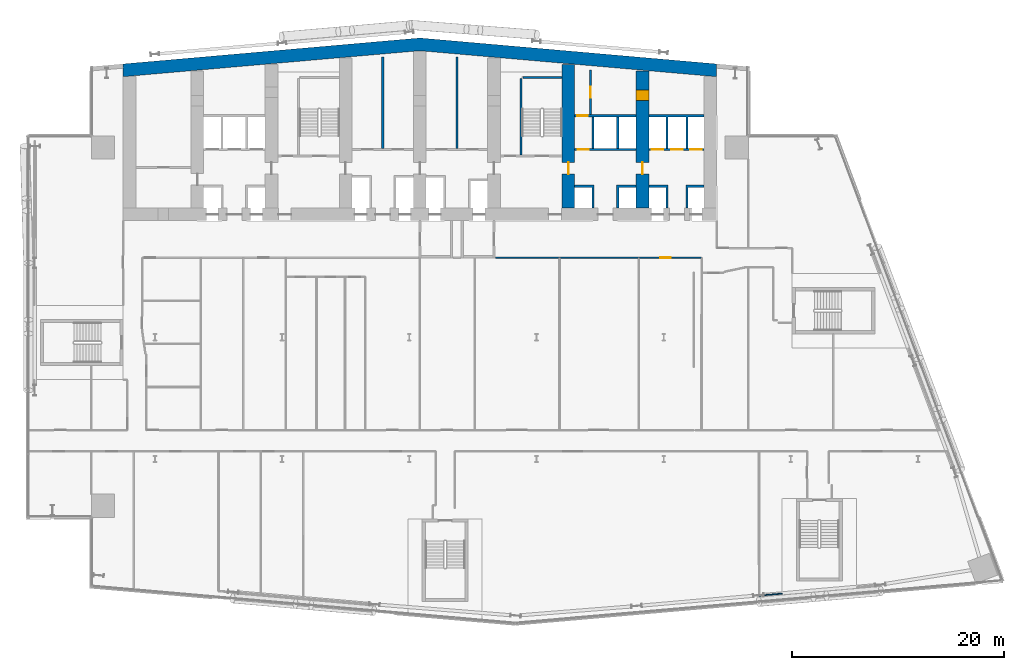
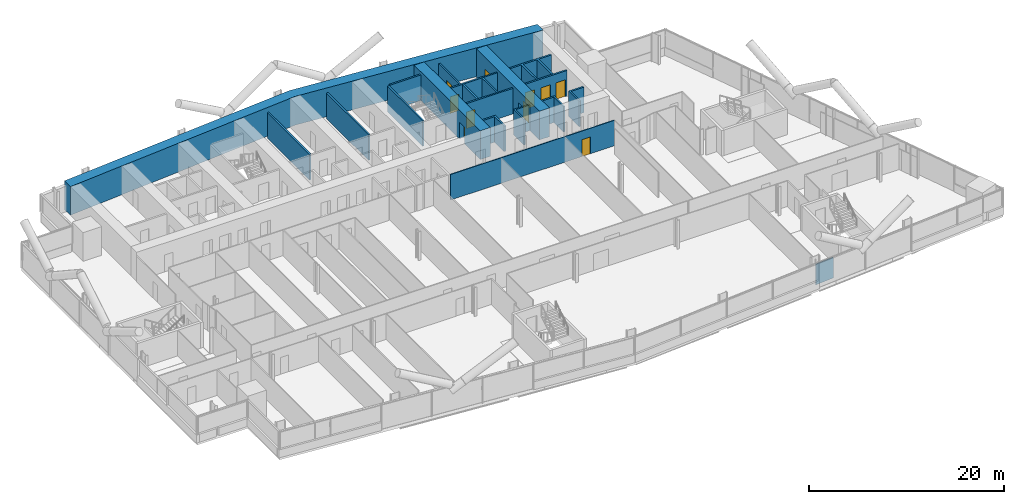
# One storey, part 18 of 27: 20 walls, 10 doors, 10 openings.
"""IFC4 building model written with IfcOpenShell, lengths in metres."""

from ifc_helpers import new_model, si_unit, direction, frame, frame_2d, origin, place, context, subcontext, project, spatial, polyline, rectangle, outline, extrude, material, layer, layer_set, type_object, element, fill, save


model = new_model("IFC4")

# Units and contexts
model_context = context("Model", 3, precision=1e-05, world=origin(), true_north=direction((0.0, 1.0)))
body_context = subcontext(model_context, "Body", "Model", "MODEL_VIEW")
ifc_project = project(units=[si_unit("LENGTHUNIT", "METRE"), si_unit("AREAUNIT", "SQUARE_METRE"), si_unit("VOLUMEUNIT", "CUBIC_METRE"), si_unit("PLANEANGLEUNIT", "RADIAN"), si_unit("MASSUNIT", "GRAM", prefix="KILO")], contexts=[model_context])

# Site, building, storey
site_placement = place(None, origin())
site = spatial("IfcSite", under=ifc_project, at=site_placement, CompositionType="ELEMENT")
building_placement = place(site_placement, origin())
building = spatial("IfcBuilding", under=site, at=building_placement, Name="Wharfspan Tower", CompositionType="ELEMENT")
storey_placement = place(building_placement, frame((0.0, 0.0, 48.699951)))
storey = spatial("IfcBuildingStorey", under=building, at=storey_placement, Name="L08", CompositionType="ELEMENT", Elevation=48.699951)

# Wall, opening, door
ifc_material_1 = material(Name="Gypsum board on steel studs", Category="steel")
ifc_layer_1 = layer(ifc_material_1, 0.100098)
ifc_layer_set_1 = layer_set([ifc_layer_1], Name="Gypsum board on steel studs")
wall_type_1 = type_object("IfcWallType", Name="Compartment wall 100 EI 60", PredefinedType="PARTITIONING", material=ifc_layer_set_1)
wall_1_placement = place(storey_placement, frame((44.149902, 30.5, 0.0), z_axis=(0.0, 0.0, 1.0), x_axis=(1.0, 0.0, 0.0)))
wall_1 = element("IfcWall", 1, at=wall_1_placement, inside=storey, type_object=wall_type_1, Name="Partition L08.w014 (3)", PredefinedType="PARTITIONING", context=body_context, shape_type="SweptSolid", body=[
    extrude(rectangle(XDim=19.420166, YDim=0.100098, at=frame_2d((9.709961, 0.0))), origin(), (0.0, 0.0, 1.0), 3.199951),
])
opening_1_placement = place(wall_1_placement, frame((15.540039, 0.0, 0.0)))
opening_1 = element("IfcOpeningElement", 2, at=opening_1_placement, cuts=wall_1, Name="Opening A1-29", PredefinedType="OPENING", context=body_context, shape_type="SweptSolid", body=[
    extrude(rectangle(XDim=1.0, YDim=2.100098, at=frame_2d((0.5, 1.050049))), frame((0.0, 0.060059, 0.0), z_axis=(0.0, -1.0, 0.0), x_axis=(1.0, 0.0, 0.0)), (0.0, 0.0, 1.0), 0.120117),
])
ifc_material_2 = material(Name="Fire-rated timber door leaf in steel frame", Category="steel")
door_type_1 = type_object("IfcDoorType", Name="Door 1000 FD30S Right", OperationType="SINGLE_SWING_RIGHT", PredefinedType="DOOR", material=ifc_material_2)
door_1_placement = place(opening_1_placement, origin())
door_1 = element("IfcDoor", 3, at=door_1_placement, inside=storey, type_object=door_type_1, Name="Door A1-29", OperationType="SINGLE_SWING_RIGHT", OverallHeight=2.100098, OverallWidth=1.0, PredefinedType="DOOR", context=body_context, shape_type="SweptSolid", body=[
    extrude(rectangle(XDim=1.0, YDim=2.100098, at=frame_2d((0.5, 1.050049))), frame((0.0, 0.024902, 0.0), z_axis=(0.0, -1.0, 0.0), x_axis=(1.0, 0.0, 0.0)), (0.0, 0.0, 1.0), 0.050049),
])
fill(opening_1, door_1)

# Walls
ifc_material_3 = material(Name="Calcium silicate masonry", Category="masonry")
ifc_layer_2 = layer(ifc_material_3, 0.199951)
ifc_layer_set_2 = layer_set([ifc_layer_2], Name="Calcium silicate masonry")
wall_type_2 = type_object("IfcWallType", Name="Core room wall 200", PredefinedType="PARTITIONING", material=ifc_layer_set_2)
for number, where, z_axis, x_axis, name in (
    (4, (33.5, 40.800049, 0.0), (0.0, 0.0, 1.0), (0.0, 1.0, 0.0), "sw:L08:RP3.1"),
    (5, (40.5, 40.800049, 0.0), (0.0, 0.0, 1.0), (0.0, 1.0, 0.0), "sw:L08:RP4.1"),
):
    element("IfcWall", number, at=place(storey_placement, frame(where, z_axis=z_axis, x_axis=x_axis)), inside=storey, type_object=wall_type_2, Name=name, PredefinedType="PARTITIONING", context=body_context, shape_type="SweptSolid", body=[
        extrude(rectangle(XDim=8.652588, YDim=0.199951, at=frame_2d((4.326172, 0.0))), origin(), (0.0, 0.0, 1.0), 3.199951),
    ])

# Wall, opening, door
wall_2_placement = place(storey_placement, frame((53.100098, 44.0, 0.0), z_axis=(0.0, 0.0, 1.0), x_axis=(0.0, 1.0, 0.0)))
wall_2 = element("IfcWall", 6, at=wall_2_placement, inside=storey, type_object=wall_type_2, Name="sw:L08:RP6.1", PredefinedType="PARTITIONING", context=body_context, shape_type="SweptSolid", body=[
    extrude(rectangle(XDim=4.227783, YDim=0.199951, at=frame_2d((2.11377, 0.0))), origin(), (0.0, 0.0, 1.0), 3.199951),
])
opening_2_placement = place(wall_2_placement, frame((1.614014, 0.0, 0.0)))
opening_2 = element("IfcOpeningElement", 7, at=opening_2_placement, cuts=wall_2, Name="Opening CD08.6P1", PredefinedType="OPENING", context=body_context, shape_type="SweptSolid", body=[
    extrude(rectangle(XDim=1.0, YDim=2.100098, at=frame_2d((0.5, 1.050049))), frame((0.0, 0.109863, 0.0), z_axis=(0.0, -1.0, 0.0), x_axis=(1.0, 0.0, 0.0)), (0.0, 0.0, 1.0), 0.219971),
])
ifc_material_4 = material(Name="Steel door leaf", Category="steel")
door_type_2 = type_object("IfcDoorType", Name="Core room door 1000x2100", OperationType="SINGLE_SWING_LEFT", PredefinedType="DOOR", material=ifc_material_4)
door_2_placement = place(opening_2_placement, origin())
door_2 = element("IfcDoor", 8, at=door_2_placement, inside=storey, type_object=door_type_2, Name="d:L08:6:rp1", OperationType="SINGLE_SWING_LEFT", OverallHeight=2.100098, OverallWidth=1.0, PredefinedType="DOOR", context=body_context, shape_type="SweptSolid", body=[
    extrude(rectangle(XDim=1.0, YDim=2.100098, at=frame_2d((0.5, 1.050049))), frame((0.0, 0.024902, 0.0), z_axis=(0.0, -1.0, 0.0), x_axis=(1.0, 0.0, 0.0)), (0.0, 0.0, 1.0), 0.050049),
])
fill(opening_2, door_2)

# Wall
ifc_material_5 = material(Name="Concrete C70/85", Category="concrete")
ifc_layer_3 = layer(ifc_material_5, 1.199951)
ifc_layer_set_3 = layer_set([ifc_layer_3], Name="Concrete C70/85")
wall_type_3 = type_object("IfcWallType", Name="Core wall 1200 C70/85", PredefinedType="SHEAR", material=ifc_layer_set_3)
wall_3_placement = place(storey_placement, origin())
element("IfcWall", 9, at=wall_3_placement, inside=storey, type_object=wall_type_3, Name="Core rear wall L08", PredefinedType="SHEAR", context=body_context, shape_type="SweptSolid", body=[
    extrude(outline(polyline([(9.0, 47.582764), (37.0, 50.032471), (65.0, 47.582764), (65.0, 48.787354), (37.0, 51.237061), (9.0, 48.787354), (9.0, 47.582764)])), origin(), (0.0, 0.0, 1.0), 3.600098),
])

# Wall, opening, door
wall_4_placement = place(storey_placement, frame((51.0, 35.199951, 0.0), z_axis=(0.0, 0.0, 1.0), x_axis=(0.0, 1.0, 0.0)))
wall_4 = element("IfcWall", 10, at=wall_4_placement, inside=storey, type_object=wall_type_3, Name="Core cross wall X6 L08", PredefinedType="SHEAR", context=body_context, shape_type="SweptSolid", body=[
    extrude(rectangle(XDim=13.555176, YDim=1.199951, at=frame_2d((6.777588, 0.0))), origin(), (0.0, 0.0, 1.0), 3.600098),
])
opening_3_placement = place(wall_4_placement, frame((3.199951, 0.0, 0.0)))
opening_3 = element("IfcOpeningElement", 11, at=opening_3_placement, cuts=wall_4, Name="Opening CC08.6", PredefinedType="OPENING", context=body_context, shape_type="SweptSolid", body=[
    extrude(rectangle(XDim=1.100098, YDim=2.100098, at=frame_2d((0.550049, 1.050049))), frame((0.0, 0.609863, 0.0), z_axis=(0.0, -1.0, 0.0), x_axis=(1.0, 0.0, 0.0)), (0.0, 0.0, 1.0), 1.219971),
])
door_type_3 = type_object("IfcDoorType", Name="Core corridor door 1100x2100", OperationType="SINGLE_SWING_LEFT", PredefinedType="DOOR", material=ifc_material_4)
door_3_placement = place(opening_3_placement, origin())
door_3 = element("IfcDoor", 12, at=door_3_placement, inside=storey, type_object=door_type_3, Name="xd:L08:6", OperationType="SINGLE_SWING_RIGHT", OverallHeight=2.100098, OverallWidth=1.100098, PredefinedType="DOOR", context=body_context, shape_type="SweptSolid", body=[
    extrude(rectangle(XDim=1.100098, YDim=2.100098, at=frame_2d((0.550049, 1.050049))), frame((0.0, 0.024902, 0.0), z_axis=(0.0, -1.0, 0.0), x_axis=(1.0, 0.0, 0.0)), (0.0, 0.0, 1.0), 0.050049),
])
fill(opening_3, door_3)

# Wall, openings, doors
wall_5_placement = place(storey_placement, frame((58.0, 35.199951, 0.0), z_axis=(0.0, 0.0, 1.0), x_axis=(0.0, 1.0, 0.0)))
wall_5 = element("IfcWall", 13, at=wall_5_placement, inside=storey, type_object=wall_type_3, Name="Core cross wall X7 L08", PredefinedType="SHEAR", context=body_context, shape_type="SweptSolid", body=[
    extrude(rectangle(XDim=12.942871, YDim=1.199951, at=frame_2d((6.471436, 0.0))), origin(), (0.0, 0.0, 1.0), 3.600098),
])
opening_4_placement = place(wall_5_placement, frame((10.133789, 0.0, 0.0)))
opening_4 = element("IfcOpeningElement", 14, at=opening_4_placement, cuts=wall_5, Name="Opening CD08.7X", PredefinedType="OPENING", context=body_context, shape_type="SweptSolid", body=[
    extrude(rectangle(XDim=1.0, YDim=2.100098, at=frame_2d((0.5, 1.050049))), frame((0.0, 0.609863, 0.0), z_axis=(0.0, -1.0, 0.0), x_axis=(1.0, 0.0, 0.0)), (0.0, 0.0, 1.0), 1.219971),
])
opening_5_placement = place(wall_5_placement, frame((3.199951, 0.0, 0.0)))
opening_5 = element("IfcOpeningElement", 15, at=opening_5_placement, cuts=wall_5, Name="Opening CC08.7", PredefinedType="OPENING", context=body_context, shape_type="SweptSolid", body=[
    extrude(rectangle(XDim=1.100098, YDim=2.100098, at=frame_2d((0.550049, 1.050049))), frame((0.0, 0.609863, 0.0), z_axis=(0.0, -1.0, 0.0), x_axis=(1.0, 0.0, 0.0)), (0.0, 0.0, 1.0), 1.219971),
])
door_4_placement = place(opening_5_placement, origin())
door_4 = element("IfcDoor", 16, at=door_4_placement, inside=storey, type_object=door_type_3, Name="xd:L08:7", OperationType="SINGLE_SWING_LEFT", OverallHeight=2.100098, OverallWidth=1.100098, PredefinedType="DOOR", context=body_context, shape_type="SweptSolid", body=[
    extrude(rectangle(XDim=1.100098, YDim=2.100098, at=frame_2d((0.550049, 1.050049))), frame((0.0, 0.024902, 0.0), z_axis=(0.0, -1.0, 0.0), x_axis=(1.0, 0.0, 0.0)), (0.0, 0.0, 1.0), 0.050049),
])
fill(opening_5, door_4)
door_5_placement = place(opening_4_placement, origin())
door_5 = element("IfcDoor", 17, at=door_5_placement, inside=storey, type_object=door_type_2, Name="d:L08:7:sx", OperationType="SINGLE_SWING_LEFT", OverallHeight=2.100098, OverallWidth=1.0, PredefinedType="DOOR", context=body_context, shape_type="SweptSolid", body=[
    extrude(rectangle(XDim=1.0, YDim=2.100098, at=frame_2d((0.5, 1.050049))), frame((0.0, 0.599609, 0.0), z_axis=(0.0, -1.0, 0.0), x_axis=(1.0, 0.0, 0.0)), (0.0, 0.0, 1.0), 1.199463),
])
fill(opening_4, door_5)

# Wall, opening, door
ifc_material_6 = material(Name="Concrete C30/37", Category="concrete")
ifc_layer_4 = layer(ifc_material_6, 0.199951)
ifc_layer_set_4 = layer_set([ifc_layer_4], Name="Concrete C30/37")
wall_type_4 = type_object("IfcWallType", Name="Lift shaft wall 200", PredefinedType="PARTITIONING", material=ifc_layer_set_4)
wall_6_placement = place(storey_placement, frame((51.600098, 40.699951, 0.0), z_axis=(0.0, 0.0, 1.0), x_axis=(1.0, 0.0, 0.0)))
wall_6 = element("IfcWall", 18, at=wall_6_placement, inside=storey, type_object=wall_type_4, Name="sw:L08:RF6", PredefinedType="PARTITIONING", context=body_context, shape_type="SweptSolid", body=[
    extrude(rectangle(XDim=5.799805, YDim=0.199951, at=frame_2d((2.899902, 0.0))), origin(), (0.0, 0.0, 1.0), 3.199951),
])
opening_6_placement = place(wall_6_placement, frame((0.31665, 0.0, 0.0)))
opening_6 = element("IfcOpeningElement", 19, at=opening_6_placement, cuts=wall_6, Name="Opening CD08.6R1", PredefinedType="OPENING", context=body_context, shape_type="SweptSolid", body=[
    extrude(rectangle(XDim=1.0, YDim=2.100098, at=frame_2d((0.5, 1.050049))), frame((0.0, 0.109863, 0.0), z_axis=(0.0, -1.0, 0.0), x_axis=(1.0, 0.0, 0.0)), (0.0, 0.0, 1.0), 0.219971),
])
door_6_placement = place(opening_6_placement, origin())
door_6 = element("IfcDoor", 20, at=door_6_placement, inside=storey, type_object=door_type_2, Name="d:L08:6:rd6.1", OperationType="SINGLE_SWING_RIGHT", OverallHeight=2.100098, OverallWidth=1.0, PredefinedType="DOOR", context=body_context, shape_type="SweptSolid", body=[
    extrude(rectangle(XDim=1.0, YDim=2.100098, at=frame_2d((0.5, 1.050049))), frame((0.0, 0.024902, 0.0), z_axis=(0.0, -1.0, 0.0), x_axis=(1.0, 0.0, 0.0)), (0.0, 0.0, 1.0), 0.050049),
])
fill(opening_6, door_6)

wall_7_placement = place(storey_placement, frame((51.600098, 43.899902, 0.0), z_axis=(0.0, 0.0, 1.0), x_axis=(1.0, 0.0, 0.0)))
wall_7 = element("IfcWall", 21, at=wall_7_placement, inside=storey, type_object=wall_type_4, Name="sw:L08:RR6", PredefinedType="PARTITIONING", context=body_context, shape_type="SweptSolid", body=[
    extrude(rectangle(XDim=5.799805, YDim=0.199951, at=frame_2d((2.899902, 0.0))), origin(), (0.0, 0.0, 1.0), 3.199951),
])
opening_7_placement = place(wall_7_placement, frame((0.25, 0.0, 0.0)))
opening_7 = element("IfcOpeningElement", 22, at=opening_7_placement, cuts=wall_7, Name="Opening CD08.6S1", PredefinedType="OPENING", context=body_context, shape_type="SweptSolid", body=[
    extrude(rectangle(XDim=1.0, YDim=2.100098, at=frame_2d((0.5, 1.050049))), frame((0.0, 0.109863, 0.0), z_axis=(0.0, -1.0, 0.0), x_axis=(1.0, 0.0, 0.0)), (0.0, 0.0, 1.0), 0.219971),
])
door_7_placement = place(opening_7_placement, origin())
door_7 = element("IfcDoor", 23, at=door_7_placement, inside=storey, type_object=door_type_2, Name="d:L08:6:rs6.1", OperationType="SINGLE_SWING_LEFT", OverallHeight=2.100098, OverallWidth=1.0, PredefinedType="DOOR", context=body_context, shape_type="SweptSolid", body=[
    extrude(rectangle(XDim=1.0, YDim=2.100098, at=frame_2d((0.5, 1.050049))), frame((0.0, 0.024902, 0.0), z_axis=(0.0, -1.0, 0.0), x_axis=(1.0, 0.0, 0.0)), (0.0, 0.0, 1.0), 0.050049),
])
fill(opening_7, door_7)

# Walls
wall_8_placement = place(storey_placement, frame((0.0, 0.0, -0.000244)))
element("IfcWall", 24, at=wall_8_placement, inside=storey, type_object=wall_type_4, Name="sw:L08:FM6.0", PredefinedType="PARTITIONING", context=body_context, shape_type="SweptSolid", body=[
    extrude(outline(polyline([(53.233398, 37.149902), (51.600098, 37.149902), (51.600098, 37.350098), (53.233398, 37.350098), (53.43335, 37.350098), (53.43335, 35.199951), (53.233398, 35.199951), (53.233398, 37.149902)])), origin(), (0.0, 0.0, 1.0), 3.200195),
])
wall_9_placement = place(storey_placement, frame((0.0, 0.0, -0.000244)))
element("IfcWall", 25, at=wall_9_placement, inside=storey, type_object=wall_type_4, Name="sw:L08:FM6.1", PredefinedType="PARTITIONING", context=body_context, shape_type="SweptSolid", body=[
    extrude(outline(polyline([(55.56665, 37.350098), (55.766602, 37.350098), (57.399902, 37.350098), (57.399902, 37.149902), (55.766602, 37.149902), (55.766602, 35.199951), (55.56665, 35.199951), (55.56665, 37.350098)])), origin(), (0.0, 0.0, 1.0), 3.200195),
])
wall_10_placement = place(storey_placement, frame((0.0, 0.0, -0.000244)))
element("IfcWall", 26, at=wall_10_placement, inside=storey, type_object=wall_type_4, Name="sw:L08:RM6.0", PredefinedType="PARTITIONING", context=body_context, shape_type="SweptSolid", body=[
    extrude(outline(polyline([(53.233398, 40.800049), (53.233398, 43.800049), (53.43335, 43.800049), (53.43335, 40.800049), (53.233398, 40.800049)])), origin(), (0.0, 0.0, 1.0), 3.200195),
])
wall_11_placement = place(storey_placement, frame((0.0, 0.0, -0.000244)))
element("IfcWall", 27, at=wall_11_placement, inside=storey, type_object=wall_type_4, Name="sw:L08:RM6.1", PredefinedType="PARTITIONING", context=body_context, shape_type="SweptSolid", body=[
    extrude(outline(polyline([(55.56665, 40.800049), (55.56665, 43.800049), (55.766602, 43.800049), (55.766602, 40.800049), (55.56665, 40.800049)])), origin(), (0.0, 0.0, 1.0), 3.200195),
])

# Wall, openings, doors
wall_12_placement = place(storey_placement, frame((58.600098, 40.699951, 0.0), z_axis=(0.0, 0.0, 1.0), x_axis=(1.0, 0.0, 0.0)))
wall_12 = element("IfcWall", 28, at=wall_12_placement, inside=storey, type_object=wall_type_4, Name="sw:L08:RF7", PredefinedType="PARTITIONING", context=body_context, shape_type="SweptSolid", body=[
    extrude(rectangle(XDim=5.199951, YDim=0.199951, at=frame_2d((2.600098, 0.0))), origin(), (0.0, 0.0, 1.0), 3.199951),
])
opening_8_placement = place(wall_12_placement, frame((0.266602, 0.0, 0.0)))
opening_8 = element("IfcOpeningElement", 29, at=opening_8_placement, cuts=wall_12, Name="Opening LD.LA8.L08", PredefinedType="OPENING", context=body_context, shape_type="SweptSolid", body=[
    extrude(rectangle(XDim=1.100098, YDim=2.100098, at=frame_2d((0.550049, 1.050049))), frame((0.0, 0.109863, 0.0), z_axis=(0.0, -1.0, 0.0), x_axis=(1.0, 0.0, 0.0)), (0.0, 0.0, 1.0), 0.219971),
])
opening_9_placement = place(wall_12_placement, frame((2.116699, 0.0, 0.0)))
opening_9 = element("IfcOpeningElement", 30, at=opening_9_placement, cuts=wall_12, Name="Opening LD.LA9.L08", PredefinedType="OPENING", context=body_context, shape_type="SweptSolid", body=[
    extrude(rectangle(XDim=1.100098, YDim=2.100098, at=frame_2d((0.550049, 1.050049))), frame((0.0, 0.109863, 0.0), z_axis=(0.0, -1.0, 0.0), x_axis=(1.0, 0.0, 0.0)), (0.0, 0.0, 1.0), 0.219971),
])
opening_10_placement = place(wall_12_placement, frame((3.899902, 0.0, 0.0)))
opening_10 = element("IfcOpeningElement", 31, at=opening_10_placement, cuts=wall_12, Name="Opening LD.LA10.L08", PredefinedType="OPENING", context=body_context, shape_type="SweptSolid", body=[
    extrude(rectangle(XDim=1.100098, YDim=2.100098, at=frame_2d((0.550049, 1.050049))), frame((0.0, 0.109863, 0.0), z_axis=(0.0, -1.0, 0.0), x_axis=(1.0, 0.0, 0.0)), (0.0, 0.0, 1.0), 0.219971),
])
ifc_material_7 = material(Name="Stainless steel", Category="steel")
door_type_4 = type_object("IfcDoorType", Name="Lift landing door 1100x2100", OperationType="DOUBLE_DOOR_SLIDING", PredefinedType="DOOR", material=ifc_material_7)
door_8_placement = place(opening_8_placement, origin())
door_8 = element("IfcDoor", 32, at=door_8_placement, inside=storey, type_object=door_type_4, Name="Landing door LA8 L08", OperationType="DOUBLE_DOOR_SLIDING", OverallHeight=2.100098, OverallWidth=1.100098, PredefinedType="DOOR", context=body_context, shape_type="SweptSolid", body=[
    extrude(rectangle(XDim=1.100098, YDim=2.100098, at=frame_2d((0.550049, 1.050049))), frame((0.0, 0.024902, 0.0), z_axis=(0.0, -1.0, 0.0), x_axis=(1.0, 0.0, 0.0)), (0.0, 0.0, 1.0), 0.050049),
])
fill(opening_8, door_8)
door_9_placement = place(opening_9_placement, origin())
door_9 = element("IfcDoor", 33, at=door_9_placement, inside=storey, type_object=door_type_4, Name="Landing door LA9 L08", OperationType="DOUBLE_DOOR_SLIDING", OverallHeight=2.100098, OverallWidth=1.100098, PredefinedType="DOOR", context=body_context, shape_type="SweptSolid", body=[
    extrude(rectangle(XDim=1.100098, YDim=2.100098, at=frame_2d((0.550049, 1.050049))), frame((0.0, 0.024902, 0.0), z_axis=(0.0, -1.0, 0.0), x_axis=(1.0, 0.0, 0.0)), (0.0, 0.0, 1.0), 0.050049),
])
fill(opening_9, door_9)
door_10_placement = place(opening_10_placement, origin())
door_10 = element("IfcDoor", 34, at=door_10_placement, inside=storey, type_object=door_type_4, Name="Landing door LA10 L08", OperationType="DOUBLE_DOOR_SLIDING", OverallHeight=2.100098, OverallWidth=1.100098, PredefinedType="DOOR", context=body_context, shape_type="SweptSolid", body=[
    extrude(rectangle(XDim=1.100098, YDim=2.100098, at=frame_2d((0.550049, 1.050049))), frame((0.0, 0.024902, 0.0), z_axis=(0.0, -1.0, 0.0), x_axis=(1.0, 0.0, 0.0)), (0.0, 0.0, 1.0), 0.050049),
])
fill(opening_10, door_10)

# Walls
wall_13_placement = place(storey_placement, frame((0.0, 0.0, -0.000244)))
element("IfcWall", 35, at=wall_13_placement, inside=storey, type_object=wall_type_4, Name="sw:L08:FM7.0", PredefinedType="PARTITIONING", context=body_context, shape_type="SweptSolid", body=[
    extrude(outline(polyline([(60.233398, 37.149902), (58.600098, 37.149902), (58.600098, 37.350098), (60.233398, 37.350098), (60.43335, 37.350098), (60.43335, 35.199951), (60.233398, 35.199951), (60.233398, 37.149902)])), origin(), (0.0, 0.0, 1.0), 3.200195),
])
wall_14_placement = place(storey_placement, frame((0.0, 0.0, -0.000244)))
element("IfcWall", 36, at=wall_14_placement, inside=storey, type_object=wall_type_4, Name="sw:L08:FM7.1", PredefinedType="PARTITIONING", context=body_context, shape_type="SweptSolid", body=[
    extrude(outline(polyline([(62.100098, 37.350098), (62.300049, 37.350098), (63.800049, 37.350098), (63.800049, 37.149902), (62.300049, 37.149902), (62.300049, 35.199951), (62.100098, 35.199951), (62.100098, 37.350098)])), origin(), (0.0, 0.0, 1.0), 3.200195),
])
wall_15_placement = place(storey_placement, frame((0.0, 0.0, -0.000244)))
element("IfcWall", 37, at=wall_15_placement, inside=storey, type_object=wall_type_4, Name="sw:L08:RM7.0", PredefinedType="PARTITIONING", context=body_context, shape_type="SweptSolid", body=[
    extrude(outline(polyline([(60.43335, 40.800049), (60.233398, 40.800049), (60.233398, 43.800049), (58.600098, 43.800049), (58.600098, 44.0), (63.800049, 44.0), (63.800049, 43.800049), (62.300049, 43.800049), (62.300049, 40.800049), (62.100098, 40.800049), (62.100098, 43.800049), (60.43335, 43.800049), (60.43335, 40.800049)])), origin(), (0.0, 0.0, 1.0), 3.200195),
])
ifc_layer_5 = layer(ifc_material_1, 0.100098)
ifc_layer_set_5 = layer_set([ifc_layer_5], Name="Gypsum board on steel studs")
wall_type_5 = type_object("IfcWallType", Name="Partition 100", PredefinedType="PARTITIONING", material=ifc_layer_set_5)
wall_16_placement = place(storey_placement, frame((69.0, -1.379883, 0.0), z_axis=(0.0, 0.0, 1.0), x_axis=(0.996261, 0.086427, 0.0)))
element("IfcWall", 38, at=wall_16_placement, inside=storey, type_object=wall_type_5, Name="Partition L08.w060", PredefinedType="PARTITIONING", context=body_context, shape_type="SweptSolid", body=[
    extrude(rectangle(XDim=2.180664, YDim=0.100098, at=frame_2d((1.090332, 0.0))), origin(), (0.0, 0.0, 1.0), 2.580078),
])
ifc_material_8 = material(Name="Concrete C40/50", Category="concrete")
ifc_layer_6 = layer(ifc_material_8, 0.199951)
ifc_layer_set_6 = layer_set([ifc_layer_6], Name="Concrete C40/50")
wall_type_6 = type_object("IfcWallType", Name="Stair shaft wall 200", PredefinedType="SHEAR", material=ifc_layer_set_6)
wall_17_placement = place(storey_placement, frame((46.550049, 40.199951, 0.0), z_axis=(0.0, 0.0, 1.0), x_axis=(0.0, 1.0, 0.0)))
element("IfcWall", 39, at=wall_17_placement, inside=storey, type_object=wall_type_6, Name="ST2 stair enclosure wall L08", PredefinedType="SHEAR", context=body_context, shape_type="SweptSolid", body=[
    extrude(rectangle(XDim=7.199951, YDim=0.199951, at=frame_2d((3.600098, 0.0))), origin(), (0.0, 0.0, 1.0), 3.199951),
])
wall_18_placement = place(storey_placement, frame((46.75, 47.5, 0.0), z_axis=(0.0, 0.0, 1.0), x_axis=(1.0, 0.0, 0.0)))
element("IfcWall", 40, at=wall_18_placement, inside=storey, type_object=wall_type_6, Name="ST2 stair enclosure wall L08", PredefinedType="SHEAR", context=body_context, shape_type="SweptSolid", body=[
    extrude(rectangle(XDim=3.649902, YDim=0.199951, at=frame_2d((1.824951, 0.0))), origin(), (0.0, 0.0, 1.0), 3.199951),
])

save(model, "model.ifc")
